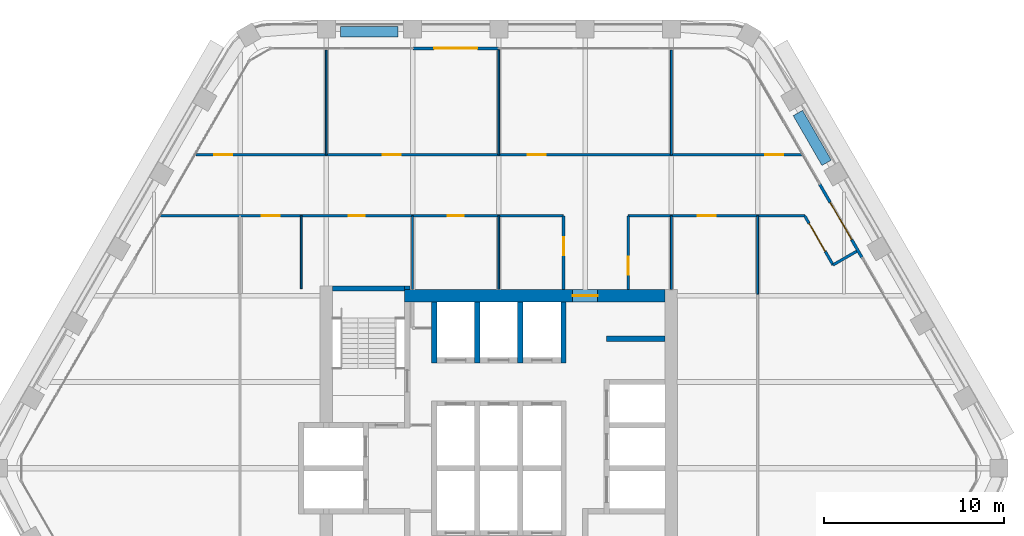
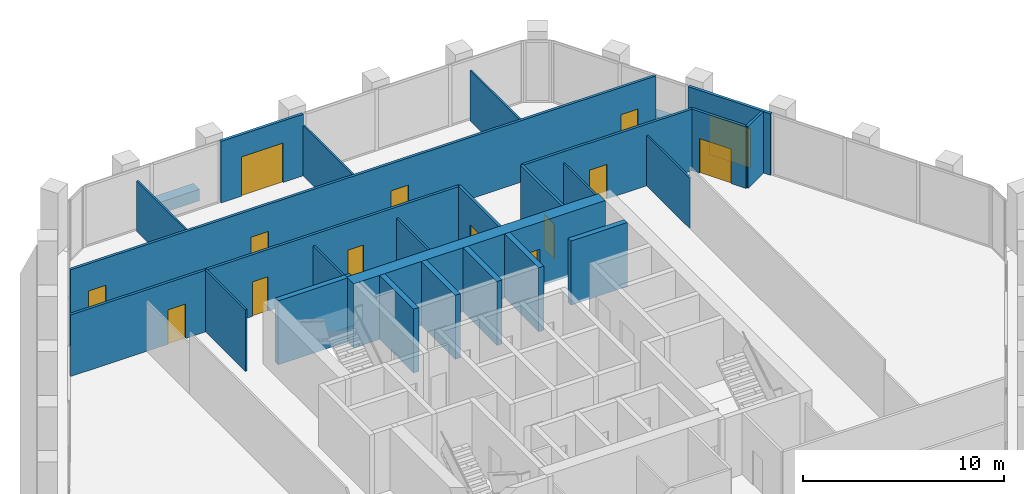
# One storey, part 11 of 15: 27 walls, 14 doors, 14 openings.
"""IFC4 building model written with IfcOpenShell, lengths in metres."""

from ifc_helpers import new_model, si_unit, direction, frame, frame_2d, origin, place, context, subcontext, project, spatial, rectangle, extrude, material, layer, layer_set, type_object, element, fill, save


model = new_model("IFC4")

# Units and contexts
model_context = context("Model", 3, precision=1e-05, world=origin(), true_north=direction((0.0, 1.0)))
body_context = subcontext(model_context, "Body", "Model", "MODEL_VIEW")
ifc_project = project(units=[si_unit("LENGTHUNIT", "METRE"), si_unit("AREAUNIT", "SQUARE_METRE"), si_unit("VOLUMEUNIT", "CUBIC_METRE"), si_unit("PLANEANGLEUNIT", "RADIAN"), si_unit("MASSUNIT", "GRAM", prefix="KILO")], contexts=[model_context])

# Site, building, storey
site_placement = place(None, origin())
site = spatial("IfcSite", under=ifc_project, at=site_placement, CompositionType="ELEMENT")
building_placement = place(site_placement, origin())
building = spatial("IfcBuilding", under=site, at=building_placement, Name="Kolab Exchange Tower", CompositionType="ELEMENT")
storey_placement = place(building_placement, frame((0.0, 0.0, 142.699951171875)))
storey = spatial("IfcBuildingStorey", under=building, at=storey_placement, Name="L28", CompositionType="ELEMENT", Elevation=142.699951171875)

# Wall, opening, door
ifc_material_1 = material(Name="Concrete C60/75", Category="concrete")
ifc_layer_1 = layer(ifc_material_1, 0.699951171875)
ifc_layer_set_1 = layer_set([ifc_layer_1], Name="Concrete C60/75")
wall_type_1 = type_object("IfcWallType", Name="CORE WALL 700 C60/75", PredefinedType="SHEAR", material=ifc_layer_set_1)
wall_1_placement = place(storey_placement, frame((-5.25, 9.60009765625, -0.14990234375), z_axis=(0.0, 0.0, 1.0), x_axis=(1.0, 0.0, 0.0)))
wall_1 = element("IfcWall", 1, at=wall_1_placement, inside=storey, type_object=wall_type_1, Name="wall/L28/core/031", PredefinedType="SHEAR", context=body_context, shape_type="SweptSolid", body=[
    extrude(rectangle(XDim=14.5, YDim=0.699951171875, at=frame_2d((7.25, 0.0))), origin(), (0.0, 0.0, 1.0), 3.89990234375),
])
opening_1_placement = place(wall_1_placement, frame((9.35009765625, 0.0, 0.14990234375)))
opening_1 = element("IfcOpeningElement", 2, at=opening_1_placement, cuts=wall_1, Name="Opening D5-010", PredefinedType="OPENING", context=body_context, shape_type="SweptSolid", body=[
    extrude(rectangle(XDim=1.39990234375, YDim=2.10009765625, at=frame_2d((0.699951171875, 1.050048828125))), frame((0.0, 0.35986328125, 0.0), z_axis=(0.0, -1.0, 0.0), x_axis=(1.0, 0.0, 0.0)), (0.0, 0.0, 1.0), 0.719970703125),
])
ifc_material_2 = material(Name="Steel S235", Category="steel")
door_type_1 = type_object("IfcDoorType", Name="CORE DOOR 1400 EI 120", OperationType="DOUBLE_DOOR_SINGLE_SWING", PredefinedType="DOOR", material=ifc_material_2)
door_1_placement = place(opening_1_placement, frame((1.39990234375, 0.0, 0.0), z_axis=(0.0, 0.0, 1.0), x_axis=(-1.0, 0.0, 0.0)))
door_1 = element("IfcDoor", 3, at=door_1_placement, inside=storey, type_object=door_type_1, Name="Core lobby door", OperationType="SINGLE_SWING_LEFT", OverallHeight=2.10009765625, OverallWidth=1.39990234375, PredefinedType="DOOR", context=body_context, shape_type="SweptSolid", body=[
    extrude(rectangle(XDim=1.39990234375, YDim=2.10009765625, at=frame_2d((0.699951171875, 1.050048828125))), frame((0.0, 0.02490234375, 0.0), z_axis=(0.0, -1.0, 0.0), x_axis=(1.0, 0.0, 0.0)), (0.0, 0.0, 1.0), 0.050048828125),
])
fill(opening_1, door_1)

ifc_material_3 = material(Name="Aluminium EN AW-6063 T6", Category="aluminium")
ifc_layer_2 = layer(ifc_material_3, 0.159912109375)
ifc_layer_set_2 = layer_set([ifc_layer_2], Name="Aluminium EN AW-6063 T6")
wall_type_2 = type_object("IfcWallType", Name="DOOR SURROUND WALL 160 ALUMINIUM FRAMED", PredefinedType="PARTITIONING", material=ifc_layer_set_2)
wall_2_placement = place(storey_placement, frame((-4.77001953125, 23.361572265625, 0.0), z_axis=(0.0, 0.0, 1.0), x_axis=(1.0, 0.0, 0.0)))
wall_2 = element("IfcWall", 4, at=wall_2_placement, inside=storey, type_object=wall_type_2, Name="Door surround wall", PredefinedType="PARTITIONING", context=body_context, shape_type="SweptSolid", body=[
    extrude(rectangle(XDim=4.739990234375, YDim=0.159912109375, at=frame_2d((2.3701171875, 0.0))), origin(), (0.0, 0.0, 1.0), 3.75),
])
opening_2_placement = place(wall_2_placement, frame((1.169921875, 0.0, 0.0)))
opening_2 = element("IfcOpeningElement", 5, at=opening_2_placement, cuts=wall_2, Name="Opening GD1-064", PredefinedType="OPENING", context=body_context, shape_type="SweptSolid", body=[
    extrude(rectangle(XDim=2.39990234375, YDim=2.39990234375, at=frame_2d((1.199951171875, 1.199951171875))), frame((0.0, 0.08984375, 0.0), z_axis=(0.0, -1.0, 0.0), x_axis=(1.0, 0.0, 0.0)), (0.0, 0.0, 1.0), 0.179931640625),
])
door_type_2 = type_object("IfcDoorType", Name="LOGGIA SLIDING GLASS DOOR 2400 X 2400", OperationType="DOUBLE_DOOR_SINGLE_SWING", PredefinedType="DOOR", material=ifc_material_3)
door_2_placement = place(opening_2_placement, origin())
door_2 = element("IfcDoor", 6, at=door_2_placement, inside=storey, type_object=door_type_2, Name="Loggia door", OperationType="DOUBLE_DOOR_SLIDING", OverallHeight=2.39990234375, OverallWidth=2.39990234375, PredefinedType="DOOR", context=body_context, shape_type="SweptSolid", body=[
    extrude(rectangle(XDim=2.39990234375, YDim=2.39990234375, at=frame_2d((1.199951171875, 1.199951171875))), frame((0.0, 0.02490234375, 0.0), z_axis=(0.0, -1.0, 0.0), x_axis=(1.0, 0.0, 0.0)), (0.0, 0.0, 1.0), 0.050048828125),
])
fill(opening_2, door_2)

wall_3_placement = place(storey_placement, frame((17.8466796875, 15.811767578125, 0.0), z_axis=(0.0, 0.0, 1.0), x_axis=(0.5000167099, -0.866015756104, 0.0)))
wall_3 = element("IfcWall", 7, at=wall_3_placement, inside=storey, type_object=wall_type_2, Name="Door surround wall", PredefinedType="PARTITIONING", context=body_context, shape_type="SweptSolid", body=[
    extrude(rectangle(XDim=4.739990234375, YDim=0.159912109375, at=frame_2d((2.3701171875, 0.0))), origin(), (0.0, 0.0, 1.0), 3.75),
])
opening_3_placement = place(wall_3_placement, frame((1.169921875, 0.0, 0.0)))
opening_3 = element("IfcOpeningElement", 8, at=opening_3_placement, cuts=wall_3, Name="Opening GD1-065", PredefinedType="OPENING", context=body_context, shape_type="SweptSolid", body=[
    extrude(rectangle(XDim=2.39990234375, YDim=2.39990234375, at=frame_2d((1.199951171875, 1.199951171875))), frame((0.0, 0.08984375, 0.0), z_axis=(0.0, -1.0, 0.0), x_axis=(1.0, 0.0, 0.0)), (0.0, 0.0, 1.0), 0.179931640625),
])
door_3_placement = place(opening_3_placement, origin())
door_3 = element("IfcDoor", 9, at=door_3_placement, inside=storey, type_object=door_type_2, Name="Loggia door", OperationType="DOUBLE_DOOR_SLIDING", OverallHeight=2.39990234375, OverallWidth=2.39990234375, PredefinedType="DOOR", context=body_context, shape_type="SweptSolid", body=[
    extrude(rectangle(XDim=2.39990234375, YDim=2.39990234375, at=frame_2d((1.199951171875, 1.199951171875))), frame((0.0, 0.02490234375, 0.0), z_axis=(0.0, -1.0, 0.0), x_axis=(1.0, 0.0, 0.0)), (0.0, 0.0, 1.0), 0.050048828125),
])
fill(opening_3, door_3)

# Walls
ifc_material_4 = material(Name="Concrete C50/60", Category="concrete")
ifc_layer_3 = layer(ifc_material_4, 0.300048828125)
ifc_layer_set_3 = layer_set([ifc_layer_3], Name="Concrete C50/60")
wall_type_3 = type_object("IfcWallType", Name="LIFT SHAFT WALL 300 C50/60", PredefinedType="STANDARD", material=ifc_layer_set_3)
wall_4_placement = place(storey_placement, frame((6.0, 7.199951171875, -0.14990234375), z_axis=(0.0, 0.0, 1.0), x_axis=(1.0, 0.0, 0.0)))
element("IfcWall", 10, at=wall_4_placement, inside=storey, type_object=wall_type_3, Name="wall/L28/core/030", PredefinedType="STANDARD", context=body_context, shape_type="SweptSolid", body=[
    extrude(rectangle(XDim=3.25, YDim=0.300048828125, at=frame_2d((1.625, 0.0))), origin(), (0.0, 0.0, 1.0), 3.89990234375),
])
for number, where, z_axis, x_axis, name in (
    (11, (-3.60009765625, 5.85009765625, -0.14990234375), (0.0, 0.0, 1.0), (0.0, 1.0, 0.0), "wall/L28/core/045"),
    (12, (-1.199951171875, 5.85009765625, -0.14990234375), (0.0, 0.0, 1.0), (0.0, 1.0, 0.0), "wall/L28/core/048"),
    (13, (1.199951171875, 5.85009765625, -0.14990234375), (0.0, 0.0, 1.0), (0.0, 1.0, 0.0), "wall/L28/core/051"),
    (14, (3.60009765625, 5.85009765625, -0.14990234375), (0.0, 0.0, 1.0), (0.0, 1.0, 0.0), "wall/L28/core/054"),
):
    element("IfcWall", number, at=place(storey_placement, frame(where, z_axis=z_axis, x_axis=x_axis)), inside=storey, type_object=wall_type_3, Name=name, PredefinedType="STANDARD", context=body_context, shape_type="SweptSolid", body=[
        extrude(rectangle(XDim=3.39990234375, YDim=0.300048828125, at=frame_2d((1.699951171875, 0.0))), origin(), (0.0, 0.0, 1.0), 3.89990234375),
    ])
ifc_material_5 = material(Name="Gypsum board", Category="gypsum")
ifc_layer_4 = layer(ifc_material_5, 0.10009765625)
ifc_layer_set_4 = layer_set([ifc_layer_4], Name="Gypsum board")
wall_type_4 = type_object("IfcWallType", Name="PARTITION 100", PredefinedType="PARTITIONING", material=ifc_layer_set_4)
wall_5_placement = place(storey_placement, frame((14.39990234375, 9.693603515625, 0.0), z_axis=(0.0, 0.0, 1.0), x_axis=(0.0, 1.0, 0.0)))
element("IfcWall", 15, at=wall_5_placement, inside=storey, type_object=wall_type_4, Name="Partition 000", PredefinedType="PARTITIONING", context=body_context, shape_type="SweptSolid", body=[
    extrude(rectangle(XDim=4.347900390625, YDim=0.10009765625, at=frame_2d((2.173828125, 0.0))), origin(), (0.0, 0.0, 1.0), 3.066162109375),
])
wall_6_placement = place(storey_placement, frame((9.60009765625, 9.949951171875, 0.0), z_axis=(0.0, 0.0, 1.0), x_axis=(0.0, 1.0, 0.0)))
element("IfcWall", 16, at=wall_6_placement, inside=storey, type_object=wall_type_4, Name="Partition 003", PredefinedType="PARTITIONING", context=body_context, shape_type="SweptSolid", body=[
    extrude(rectangle(XDim=4.091552734375, YDim=0.10009765625, at=frame_2d((2.0458984375, 0.0))), origin(), (0.0, 0.0, 1.0), 3.066162109375),
])
wall_7_placement = place(storey_placement, frame((9.60009765625, 17.44140625, 0.0), z_axis=(0.0, 0.0, 1.0), x_axis=(0.0, 1.0, 0.0)))
element("IfcWall", 17, at=wall_7_placement, inside=storey, type_object=wall_type_4, Name="Partition 004", PredefinedType="PARTITIONING", context=body_context, shape_type="SweptSolid", body=[
    extrude(rectangle(XDim=5.830078125, YDim=0.10009765625, at=frame_2d((2.9150390625, 0.0))), origin(), (0.0, 0.0, 1.0), 3.066162109375),
])
wall_8_placement = place(storey_placement, frame((0.0, 9.949951171875, 0.0), z_axis=(0.0, 0.0, 1.0), x_axis=(0.0, 1.0, 0.0)))
element("IfcWall", 18, at=wall_8_placement, inside=storey, type_object=wall_type_4, Name="Partition 012", PredefinedType="PARTITIONING", context=body_context, shape_type="SweptSolid", body=[
    extrude(rectangle(XDim=4.091552734375, YDim=0.10009765625, at=frame_2d((2.0458984375, 0.0))), origin(), (0.0, 0.0, 1.0), 3.066162109375),
])
wall_9_placement = place(storey_placement, frame((0.0, 17.44140625, 0.0), z_axis=(0.0, 0.0, 1.0), x_axis=(0.0, 1.0, 0.0)))
element("IfcWall", 19, at=wall_9_placement, inside=storey, type_object=wall_type_4, Name="Partition 013", PredefinedType="PARTITIONING", context=body_context, shape_type="SweptSolid", body=[
    extrude(rectangle(XDim=5.840087890625, YDim=0.10009765625, at=frame_2d((2.919921875, 0.0))), origin(), (0.0, 0.0, 1.0), 3.066162109375),
])
wall_10_placement = place(storey_placement, frame((-4.800048828125, 9.949951171875, 0.0), z_axis=(0.0, 0.0, 1.0), x_axis=(0.0, 1.0, 0.0)))
element("IfcWall", 20, at=wall_10_placement, inside=storey, type_object=wall_type_4, Name="Partition 016", PredefinedType="PARTITIONING", context=body_context, shape_type="SweptSolid", body=[
    extrude(rectangle(XDim=4.091552734375, YDim=0.10009765625, at=frame_2d((2.0458984375, 0.0))), origin(), (0.0, 0.0, 1.0), 3.066162109375),
])
wall_11_placement = place(storey_placement, frame((-9.60009765625, 17.44140625, 0.0), z_axis=(0.0, 0.0, 1.0), x_axis=(0.0, 1.0, 0.0)))
element("IfcWall", 21, at=wall_11_placement, inside=storey, type_object=wall_type_4, Name="Partition 020", PredefinedType="PARTITIONING", context=body_context, shape_type="SweptSolid", body=[
    extrude(rectangle(XDim=5.830078125, YDim=0.10009765625, at=frame_2d((2.9150390625, 0.0))), origin(), (0.0, 0.0, 1.0), 3.066162109375),
])
wall_12_placement = place(storey_placement, frame((-11.0, 10.0, 0.0), z_axis=(0.0, 0.0, 1.0), x_axis=(0.0, 1.0, 0.0)))
element("IfcWall", 22, at=wall_12_placement, inside=storey, type_object=wall_type_4, Name="Partition 022", PredefinedType="PARTITIONING", context=body_context, shape_type="SweptSolid", body=[
    extrude(rectangle(XDim=4.04150390625, YDim=0.10009765625, at=frame_2d((2.020751953125, 0.0))), origin(), (0.0, 0.0, 1.0), 3.75),
])

# Wall, opening, door
ifc_layer_5 = layer(ifc_material_5, 0.14990234375)
ifc_layer_set_5 = layer_set([ifc_layer_5], Name="Gypsum board")
wall_type_5 = type_object("IfcWallType", Name="PARTITION 150 FIRE-RATED", PredefinedType="PARTITIONING", material=ifc_layer_set_5)
wall_13_placement = place(storey_placement, frame((7.199951171875, 9.949951171875, 0.0), z_axis=(0.0, 0.0, 1.0), x_axis=(0.0, 1.0, 0.0)))
wall_13 = element("IfcWall", 23, at=wall_13_placement, inside=storey, type_object=wall_type_5, Name="Partition 005", PredefinedType="PARTITIONING", context=body_context, shape_type="SweptSolid", body=[
    extrude(rectangle(XDim=4.091552734375, YDim=0.14990234375, at=frame_2d((2.0458984375, 0.0))), origin(), (0.0, 0.0, 1.0), 3.75),
])
opening_4_placement = place(wall_13_placement, frame((0.8212890625, 0.0, 0.0)))
opening_4 = element("IfcOpeningElement", 24, at=opening_4_placement, cuts=wall_13, Name="Opening D1-400", PredefinedType="OPENING", context=body_context, shape_type="SweptSolid", body=[
    extrude(rectangle(XDim=1.0, YDim=2.10009765625, at=frame_2d((0.5, 1.050048828125))), frame((0.0, 0.0849609375, 0.0), z_axis=(0.0, -1.0, 0.0), x_axis=(1.0, 0.0, 0.0)), (0.0, 0.0, 1.0), 0.169921875),
])
door_type_3 = type_object("IfcDoorType", Name="FLUSH DOOR 1000 FD60", OperationType="SINGLE_SWING_LEFT", PredefinedType="DOOR", material=ifc_material_2)
door_4_placement = place(opening_4_placement, frame((1.0, 0.0, 0.0), z_axis=(0.0, 0.0, 1.0), x_axis=(-1.0, 0.0, 0.0)))
door_4 = element("IfcDoor", 25, at=door_4_placement, inside=storey, type_object=door_type_3, Name="Door L28-031", OperationType="SINGLE_SWING_LEFT", OverallHeight=2.10009765625, OverallWidth=1.0, PredefinedType="DOOR", context=body_context, shape_type="SweptSolid", body=[
    extrude(rectangle(XDim=1.0, YDim=2.10009765625, at=frame_2d((0.5, 1.050048828125))), frame((0.0, 0.02490234375, 0.0), z_axis=(0.0, -1.0, 0.0), x_axis=(1.0, 0.0, 0.0)), (0.0, 0.0, 1.0), 0.050048828125),
])
fill(opening_4, door_4)

wall_14_placement = place(storey_placement, frame((3.60009765625, 9.949951171875, 0.0), z_axis=(0.0, 0.0, 1.0), x_axis=(0.0, 1.0, 0.0)))
wall_14 = element("IfcWall", 26, at=wall_14_placement, inside=storey, type_object=wall_type_5, Name="Partition 008", PredefinedType="PARTITIONING", context=body_context, shape_type="SweptSolid", body=[
    extrude(rectangle(XDim=4.091552734375, YDim=0.14990234375, at=frame_2d((2.0458984375, 0.0))), origin(), (0.0, 0.0, 1.0), 3.75),
])
opening_5_placement = place(wall_14_placement, frame((1.89208984375, 0.0, 0.0)))
opening_5 = element("IfcOpeningElement", 27, at=opening_5_placement, cuts=wall_14, Name="Opening D1-401", PredefinedType="OPENING", context=body_context, shape_type="SweptSolid", body=[
    extrude(rectangle(XDim=1.0, YDim=2.10009765625, at=frame_2d((0.5, 1.050048828125))), frame((0.0, 0.0849609375, 0.0), z_axis=(0.0, -1.0, 0.0), x_axis=(1.0, 0.0, 0.0)), (0.0, 0.0, 1.0), 0.169921875),
])
door_5_placement = place(opening_5_placement, origin())
door_5 = element("IfcDoor", 28, at=door_5_placement, inside=storey, type_object=door_type_3, Name="Door L28-034", OperationType="SINGLE_SWING_RIGHT", OverallHeight=2.10009765625, OverallWidth=1.0, PredefinedType="DOOR", context=body_context, shape_type="SweptSolid", body=[
    extrude(rectangle(XDim=1.0, YDim=2.10009765625, at=frame_2d((0.5, 1.050048828125))), frame((0.0, 0.02490234375, 0.0), z_axis=(0.0, -1.0, 0.0), x_axis=(1.0, 0.0, 0.0)), (0.0, 0.0, 1.0), 0.050048828125),
])
fill(opening_5, door_5)

wall_15_placement = place(storey_placement, frame((17.021240234375, 14.04150390625, 0.0), z_axis=(0.0, 0.0, 1.0), x_axis=(0.499957296199, -0.866050057432, 0.0)))
wall_15 = element("IfcWall", 29, at=wall_15_placement, inside=storey, type_object=wall_type_5, Name="Partition 025", PredefinedType="PARTITIONING", context=body_context, shape_type="SweptSolid", body=[
    extrude(rectangle(XDim=3.149658203125, YDim=0.14990234375, at=frame_2d((1.57470703125, 0.0))), origin(), (0.0, 0.0, 1.0), 3.75),
])
opening_6_placement = place(wall_15_placement, frame((0.474853515625, 0.0, 0.0)))
opening_6 = element("IfcOpeningElement", 30, at=opening_6_placement, cuts=wall_15, Name="Opening D2-039", PredefinedType="OPENING", context=body_context, shape_type="SweptSolid", body=[
    extrude(rectangle(XDim=1.800048828125, YDim=2.10009765625, at=frame_2d((0.89990234375, 1.050048828125))), frame((0.0, 0.0849609375, 0.0), z_axis=(0.0, -1.0, 0.0), x_axis=(1.0, 0.0, 0.0)), (0.0, 0.0, 1.0), 0.169921875),
])
door_type_4 = type_object("IfcDoorType", Name="DOUBLE DOOR 1800 FD60", OperationType="DOUBLE_DOOR_SINGLE_SWING", PredefinedType="DOOR", material=ifc_material_2)
door_6_placement = place(opening_6_placement, frame((1.800048828125, 0.0, 0.0), z_axis=(0.0, 0.0, 1.0), x_axis=(-1.0, 0.0, 0.0)))
door_6 = element("IfcDoor", 31, at=door_6_placement, inside=storey, type_object=door_type_4, Name="Door L28-050", OperationType="SINGLE_SWING_LEFT", OverallHeight=2.10009765625, OverallWidth=1.800048828125, PredefinedType="DOOR", context=body_context, shape_type="SweptSolid", body=[
    extrude(rectangle(XDim=1.800048828125, YDim=2.10009765625, at=frame_2d((0.89990234375, 1.050048828125))), frame((0.0, 0.02490234375, 0.0), z_axis=(0.0, -1.0, 0.0), x_axis=(1.0, 0.0, 0.0)), (0.0, 0.0, 1.0), 0.050048828125),
])
fill(opening_6, door_6)

# Wall
wall_16_placement = place(storey_placement, frame((18.595947265625, 11.313720703125, 0.0), z_axis=(0.0, 0.0, 1.0), x_axis=(0.866030456496, 0.499991248344, 0.0)))
element("IfcWall", 32, at=wall_16_placement, inside=storey, type_object=wall_type_5, Name="Partition 027", PredefinedType="PARTITIONING", context=body_context, shape_type="SweptSolid", body=[
    extrude(rectangle(XDim=1.52001953125, YDim=0.14990234375, at=frame_2d((0.760009765625, 0.0))), origin(), (0.0, 0.0, 1.0), 3.75),
])

# Wall, openings, doors
wall_17_placement = place(storey_placement, frame((-18.822509765625, 14.04150390625, 0.0), z_axis=(0.0, 0.0, 1.0), x_axis=(1.0, 0.0, 0.0)))
wall_17 = element("IfcWall", 33, at=wall_17_placement, inside=storey, type_object=wall_type_5, Name="Partition 033", PredefinedType="PARTITIONING", context=body_context, shape_type="SweptSolid", body=[
    extrude(rectangle(XDim=22.422607421875, YDim=0.14990234375, at=frame_2d((11.21142578125, 0.0))), origin(), (0.0, 0.0, 1.0), 3.75),
])
opening_7_placement = place(wall_17_placement, frame((10.472412109375, 0.0, 0.0)))
opening_7 = element("IfcOpeningElement", 34, at=opening_7_placement, cuts=wall_17, Name="Opening D3-038", PredefinedType="OPENING", context=body_context, shape_type="SweptSolid", body=[
    extrude(rectangle(XDim=0.89990234375, YDim=2.10009765625, at=frame_2d((0.449951171875, 1.050048828125))), frame((0.0, 0.0849609375, 0.0), z_axis=(0.0, -1.0, 0.0), x_axis=(1.0, 0.0, 0.0)), (0.0, 0.0, 1.0), 0.169921875),
])
opening_8_placement = place(wall_17_placement, frame((15.972412109375, 0.0, 0.0)))
opening_8 = element("IfcOpeningElement", 35, at=opening_8_placement, cuts=wall_17, Name="Opening D3-039", PredefinedType="OPENING", context=body_context, shape_type="SweptSolid", body=[
    extrude(rectangle(XDim=0.89990234375, YDim=2.10009765625, at=frame_2d((0.449951171875, 1.050048828125))), frame((0.0, 0.0849609375, 0.0), z_axis=(0.0, -1.0, 0.0), x_axis=(1.0, 0.0, 0.0)), (0.0, 0.0, 1.0), 0.169921875),
])
opening_9_placement = place(wall_17_placement, frame((5.62255859375, 0.0, 0.0)))
opening_9 = element("IfcOpeningElement", 36, at=opening_9_placement, cuts=wall_17, Name="Opening D1-417", PredefinedType="OPENING", context=body_context, shape_type="SweptSolid", body=[
    extrude(rectangle(XDim=1.0, YDim=2.10009765625, at=frame_2d((0.5, 1.050048828125))), frame((0.0, 0.0849609375, 0.0), z_axis=(0.0, -1.0, 0.0), x_axis=(1.0, 0.0, 0.0)), (0.0, 0.0, 1.0), 0.169921875),
])
door_7_placement = place(opening_9_placement, frame((1.0, 0.0, 0.0), z_axis=(0.0, 0.0, 1.0), x_axis=(-1.0, 0.0, 0.0)))
door_7 = element("IfcDoor", 37, at=door_7_placement, inside=storey, type_object=door_type_3, Name="Door L28-052", OperationType="SINGLE_SWING_LEFT", OverallHeight=2.10009765625, OverallWidth=1.0, PredefinedType="DOOR", context=body_context, shape_type="SweptSolid", body=[
    extrude(rectangle(XDim=1.0, YDim=2.10009765625, at=frame_2d((0.5, 1.050048828125))), frame((0.0, 0.02490234375, 0.0), z_axis=(0.0, -1.0, 0.0), x_axis=(1.0, 0.0, 0.0)), (0.0, 0.0, 1.0), 0.050048828125),
])
fill(opening_9, door_7)
door_type_5 = type_object("IfcDoorType", Name="FLUSH DOOR 900 FD60", OperationType="SINGLE_SWING_LEFT", PredefinedType="DOOR", material=ifc_material_2)
door_8_placement = place(opening_7_placement, frame((0.89990234375, 0.0, 0.0), z_axis=(0.0, 0.0, 1.0), x_axis=(-1.0, 0.0, 0.0)))
door_8 = element("IfcDoor", 38, at=door_8_placement, inside=storey, type_object=door_type_5, Name="Door L28-032", OperationType="SINGLE_SWING_LEFT", OverallHeight=2.10009765625, OverallWidth=0.89990234375, PredefinedType="DOOR", context=body_context, shape_type="SweptSolid", body=[
    extrude(rectangle(XDim=0.89990234375, YDim=2.10009765625, at=frame_2d((0.449951171875, 1.050048828125))), frame((0.0, 0.02490234375, 0.0), z_axis=(0.0, -1.0, 0.0), x_axis=(1.0, 0.0, 0.0)), (0.0, 0.0, 1.0), 0.050048828125),
])
fill(opening_7, door_8)
door_9_placement = place(opening_8_placement, frame((0.89990234375, 0.0, 0.0), z_axis=(0.0, 0.0, 1.0), x_axis=(-1.0, 0.0, 0.0)))
door_9 = element("IfcDoor", 39, at=door_9_placement, inside=storey, type_object=door_type_5, Name="Door L28-033", OperationType="SINGLE_SWING_LEFT", OverallHeight=2.10009765625, OverallWidth=0.89990234375, PredefinedType="DOOR", context=body_context, shape_type="SweptSolid", body=[
    extrude(rectangle(XDim=0.89990234375, YDim=2.10009765625, at=frame_2d((0.449951171875, 1.050048828125))), frame((0.0, 0.02490234375, 0.0), z_axis=(0.0, -1.0, 0.0), x_axis=(1.0, 0.0, 0.0)), (0.0, 0.0, 1.0), 0.050048828125),
])
fill(opening_8, door_9)

# Wall, opening, door
wall_18_placement = place(storey_placement, frame((7.199951171875, 14.04150390625, 0.0), z_axis=(0.0, 0.0, 1.0), x_axis=(1.0, 0.0, 0.0)))
wall_18 = element("IfcWall", 40, at=wall_18_placement, inside=storey, type_object=wall_type_5, Name="Partition 034", PredefinedType="PARTITIONING", context=body_context, shape_type="SweptSolid", body=[
    extrude(rectangle(XDim=9.8212890625, YDim=0.14990234375, at=frame_2d((4.91064453125, 0.0))), origin(), (0.0, 0.0, 1.0), 3.75),
])
opening_10_placement = place(wall_18_placement, frame((3.864990234375, 0.0, 0.0)))
opening_10 = element("IfcOpeningElement", 41, at=opening_10_placement, cuts=wall_18, Name="Opening D1-416", PredefinedType="OPENING", context=body_context, shape_type="SweptSolid", body=[
    extrude(rectangle(XDim=1.0, YDim=2.10009765625, at=frame_2d((0.5, 1.050048828125))), frame((0.0, 0.0849609375, 0.0), z_axis=(0.0, -1.0, 0.0), x_axis=(1.0, 0.0, 0.0)), (0.0, 0.0, 1.0), 0.169921875),
])
door_10_placement = place(opening_10_placement, frame((1.0, 0.0, 0.0), z_axis=(0.0, 0.0, 1.0), x_axis=(-1.0, 0.0, 0.0)))
door_10 = element("IfcDoor", 42, at=door_10_placement, inside=storey, type_object=door_type_3, Name="Door L28-049", OperationType="SINGLE_SWING_LEFT", OverallHeight=2.10009765625, OverallWidth=1.0, PredefinedType="DOOR", context=body_context, shape_type="SweptSolid", body=[
    extrude(rectangle(XDim=1.0, YDim=2.10009765625, at=frame_2d((0.5, 1.050048828125))), frame((0.0, 0.02490234375, 0.0), z_axis=(0.0, -1.0, 0.0), x_axis=(1.0, 0.0, 0.0)), (0.0, 0.0, 1.0), 0.050048828125),
])
fill(opening_10, door_10)

# Wall, openings, doors
wall_19_placement = place(storey_placement, frame((-16.859619140625, 17.44140625, 0.0), z_axis=(0.0, 0.0, 1.0), x_axis=(1.0, 0.0, 0.0)))
wall_19 = element("IfcWall", 43, at=wall_19_placement, inside=storey, type_object=wall_type_5, Name="Partition 035", PredefinedType="PARTITIONING", context=body_context, shape_type="SweptSolid", body=[
    extrude(rectangle(XDim=33.71923828125, YDim=0.14990234375, at=frame_2d((16.859619140625, 0.0))), origin(), (0.0, 0.0, 1.0), 3.75),
])
opening_11_placement = place(wall_19_placement, frame((1.031005859375, 0.0, 0.0)))
opening_11 = element("IfcOpeningElement", 44, at=opening_11_placement, cuts=wall_19, Name="Opening D1-406", PredefinedType="OPENING", context=body_context, shape_type="SweptSolid", body=[
    extrude(rectangle(XDim=1.0, YDim=2.10009765625, at=frame_2d((0.5, 1.050048828125))), frame((0.0, 0.0849609375, 0.0), z_axis=(0.0, -1.0, 0.0), x_axis=(1.0, 0.0, 0.0)), (0.0, 0.0, 1.0), 0.169921875),
])
opening_12_placement = place(wall_19_placement, frame((10.404541015625, 0.0, 0.0)))
opening_12 = element("IfcOpeningElement", 45, at=opening_12_placement, cuts=wall_19, Name="Opening D1-407", PredefinedType="OPENING", context=body_context, shape_type="SweptSolid", body=[
    extrude(rectangle(XDim=1.0, YDim=2.10009765625, at=frame_2d((0.5, 1.050048828125))), frame((0.0, 0.0849609375, 0.0), z_axis=(0.0, -1.0, 0.0), x_axis=(1.0, 0.0, 0.0)), (0.0, 0.0, 1.0), 0.169921875),
])
opening_13_placement = place(wall_19_placement, frame((18.464599609375, 0.0, 0.0)))
opening_13 = element("IfcOpeningElement", 46, at=opening_13_placement, cuts=wall_19, Name="Opening D1-408", PredefinedType="OPENING", context=body_context, shape_type="SweptSolid", body=[
    extrude(rectangle(XDim=1.0, YDim=2.10009765625, at=frame_2d((0.5, 1.050048828125))), frame((0.0, 0.0849609375, 0.0), z_axis=(0.0, -1.0, 0.0), x_axis=(1.0, 0.0, 0.0)), (0.0, 0.0, 1.0), 0.169921875),
])
opening_14_placement = place(wall_19_placement, frame((31.68798828125, 0.0, 0.0)))
opening_14 = element("IfcOpeningElement", 47, at=opening_14_placement, cuts=wall_19, Name="Opening D1-409", PredefinedType="OPENING", context=body_context, shape_type="SweptSolid", body=[
    extrude(rectangle(XDim=1.0, YDim=2.10009765625, at=frame_2d((0.5, 1.050048828125))), frame((0.0, 0.0849609375, 0.0), z_axis=(0.0, -1.0, 0.0), x_axis=(1.0, 0.0, 0.0)), (0.0, 0.0, 1.0), 0.169921875),
])
door_11_placement = place(opening_11_placement, origin())
door_11 = element("IfcDoor", 48, at=door_11_placement, inside=storey, type_object=door_type_3, Name="Door L28-039", OperationType="SINGLE_SWING_LEFT", OverallHeight=2.10009765625, OverallWidth=1.0, PredefinedType="DOOR", context=body_context, shape_type="SweptSolid", body=[
    extrude(rectangle(XDim=1.0, YDim=2.10009765625, at=frame_2d((0.5, 1.050048828125))), frame((0.0, 0.02490234375, 0.0), z_axis=(0.0, -1.0, 0.0), x_axis=(1.0, 0.0, 0.0)), (0.0, 0.0, 1.0), 0.050048828125),
])
fill(opening_11, door_11)
door_12_placement = place(opening_12_placement, origin())
door_12 = element("IfcDoor", 49, at=door_12_placement, inside=storey, type_object=door_type_3, Name="Door L28-040", OperationType="SINGLE_SWING_LEFT", OverallHeight=2.10009765625, OverallWidth=1.0, PredefinedType="DOOR", context=body_context, shape_type="SweptSolid", body=[
    extrude(rectangle(XDim=1.0, YDim=2.10009765625, at=frame_2d((0.5, 1.050048828125))), frame((0.0, 0.02490234375, 0.0), z_axis=(0.0, -1.0, 0.0), x_axis=(1.0, 0.0, 0.0)), (0.0, 0.0, 1.0), 0.050048828125),
])
fill(opening_12, door_12)
door_13_placement = place(opening_13_placement, origin())
door_13 = element("IfcDoor", 50, at=door_13_placement, inside=storey, type_object=door_type_3, Name="Door L28-041", OperationType="SINGLE_SWING_LEFT", OverallHeight=2.10009765625, OverallWidth=1.0, PredefinedType="DOOR", context=body_context, shape_type="SweptSolid", body=[
    extrude(rectangle(XDim=1.0, YDim=2.10009765625, at=frame_2d((0.5, 1.050048828125))), frame((0.0, 0.02490234375, 0.0), z_axis=(0.0, -1.0, 0.0), x_axis=(1.0, 0.0, 0.0)), (0.0, 0.0, 1.0), 0.050048828125),
])
fill(opening_13, door_13)
door_14_placement = place(opening_14_placement, origin())
door_14 = element("IfcDoor", 51, at=door_14_placement, inside=storey, type_object=door_type_3, Name="Door L28-042", OperationType="SINGLE_SWING_RIGHT", OverallHeight=2.10009765625, OverallWidth=1.0, PredefinedType="DOOR", context=body_context, shape_type="SweptSolid", body=[
    extrude(rectangle(XDim=1.0, YDim=2.10009765625, at=frame_2d((0.5, 1.050048828125))), frame((0.0, 0.02490234375, 0.0), z_axis=(0.0, -1.0, 0.0), x_axis=(1.0, 0.0, 0.0)), (0.0, 0.0, 1.0), 0.050048828125),
])
fill(opening_14, door_14)

# Walls
ifc_material_6 = material(Name="Granite facing", Category="masonry")
ifc_layer_6 = layer(ifc_material_6, 0.0400390625)
ifc_material_7 = material(Name="Concrete C40/50 precast", Category="concrete")
ifc_layer_7 = layer(ifc_material_7, 0.56005859375)
ifc_layer_set_6 = layer_set([ifc_layer_6, ifc_layer_7], Name="Concrete C40/50 precast")
wall_type_6 = type_object("IfcWallType", Name="PLANTER BOX 600 X 700 SOIL DEPTH 550", PredefinedType="USERDEFINED", material=ifc_layer_set_6)
for number, where, z_axis, x_axis, name in (
    (52, (-8.800048828125, 24.29150390625, 0.0), (0.0, 0.0, 1.0), (1.0, 0.0, 0.0), "Planter"),
    (53, (16.636962890625, 19.766845703125, 0.0), (0.0, 0.0, 1.0), (0.500028443584, -0.866008981251, 0.0), "Planter"),
):
    element("IfcWall", number, at=place(storey_placement, frame(where, z_axis=z_axis, x_axis=x_axis)), inside=storey, type_object=wall_type_6, Name=name, ObjectType="PLANTER", PredefinedType="USERDEFINED", context=body_context, shape_type="SweptSolid", body=[
        extrude(rectangle(XDim=3.199951171875, YDim=0.60009765625, at=frame_2d((1.60009765625, 0.0))), origin(), (0.0, 0.0, 1.0), 0.699951171875),
    ])
ifc_layer_8 = layer(ifc_material_4, 0.300048828125)
ifc_layer_set_7 = layer_set([ifc_layer_8], Name="Concrete C50/60")
wall_type_7 = type_object("IfcWallType", Name="STAIR ENCLOSURE WALL 300 C50/60", PredefinedType="STANDARD", material=ifc_layer_set_7)
wall_20_placement = place(storey_placement, frame((-9.25, 10.0, -0.14990234375), z_axis=(0.0, 0.0, 1.0), x_axis=(1.0, 0.0, 0.0)))
element("IfcWall", 54, at=wall_20_placement, inside=storey, type_object=wall_type_7, Name="wall/L28/core/032", PredefinedType="STANDARD", context=body_context, shape_type="SweptSolid", body=[
    extrude(rectangle(XDim=4.0, YDim=0.300048828125, at=frame_2d((2.0, 0.0))), origin(), (0.0, 0.0, 1.0), 3.89990234375),
])
wall_21_placement = place(storey_placement, frame((-5.10009765625, 9.949951171875, -0.14990234375), z_axis=(0.0, 0.0, 1.0), x_axis=(0.0, 1.0, 0.0)))
element("IfcWall", 55, at=wall_21_placement, inside=storey, type_object=wall_type_7, Name="wall/L28/core/042", PredefinedType="STANDARD", context=body_context, shape_type="SweptSolid", body=[
    extrude(rectangle(XDim=0.199951171875, YDim=0.300048828125, at=frame_2d((0.10009765625, 0.0))), origin(), (0.0, 0.0, 1.0), 3.89990234375),
])

save(model, "model.ifc")
